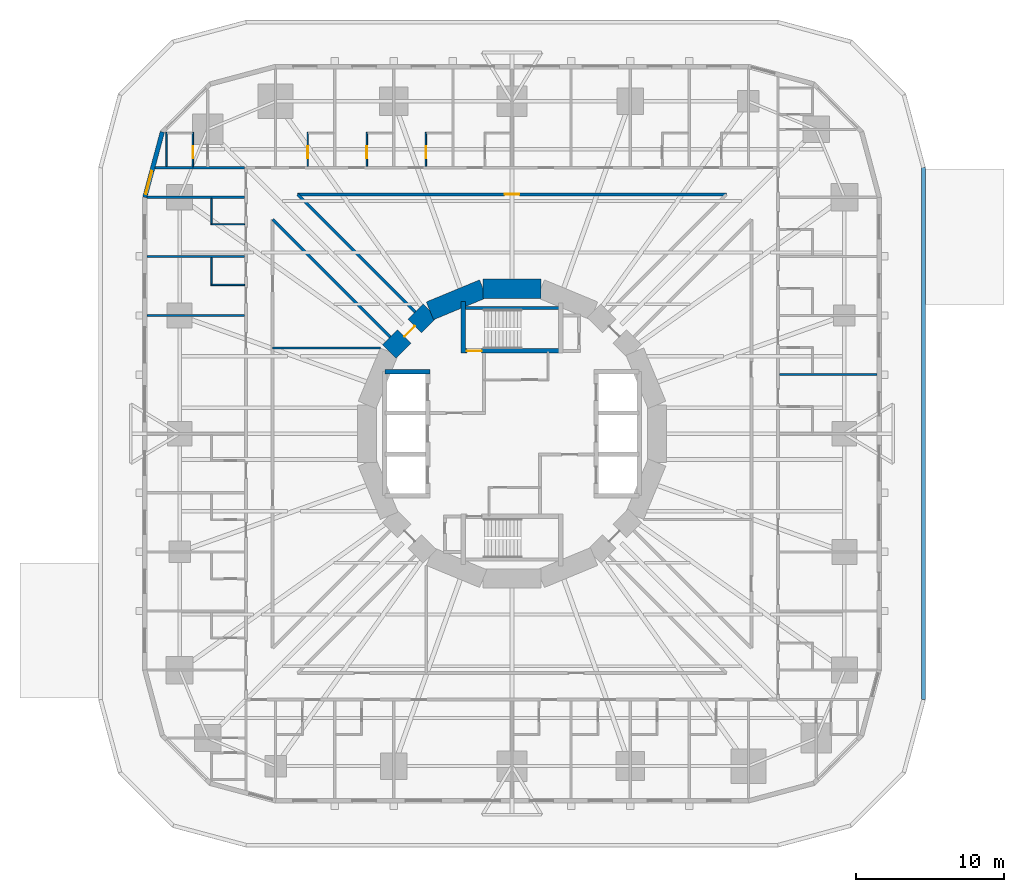
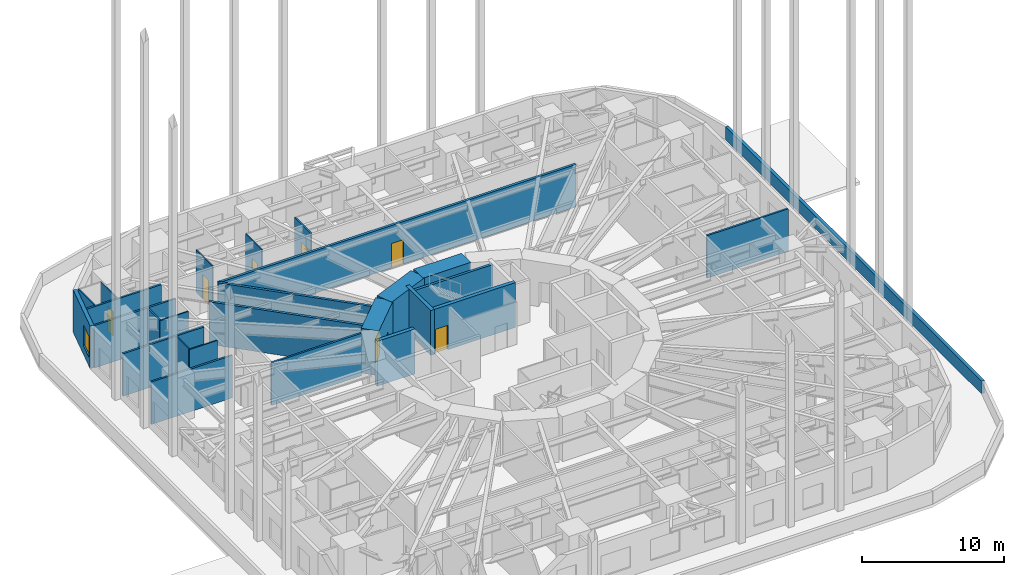
# One storey, part 9 of 13: 27 walls, 7 doors, 1 window, 8 openings.
"""IFC4 building model written with IfcOpenShell, lengths in metres."""

from ifc_helpers import new_model, si_unit, direction, frame, frame_2d, origin, place, context, subcontext, project, spatial, rectangle, extrude, material, layer, layer_set, type_object, element, fill, save


model = new_model("IFC4")

# Units and contexts
model_context = context("Model", 3, precision=1e-05, world=origin(), true_north=direction((0.0, 1.0)))
body_context = subcontext(model_context, "Body", "Model", "MODEL_VIEW")
ifc_project = project(units=[si_unit("LENGTHUNIT", "METRE"), si_unit("AREAUNIT", "SQUARE_METRE"), si_unit("VOLUMEUNIT", "CUBIC_METRE"), si_unit("PLANEANGLEUNIT", "RADIAN"), si_unit("MASSUNIT", "GRAM", prefix="KILO")], contexts=[model_context])

# Site, building, storey
site_placement = place(None, origin())
site = spatial("IfcSite", under=ifc_project, at=site_placement, CompositionType="ELEMENT")
building_placement = place(site_placement, origin())
building = spatial("IfcBuilding", under=site, at=building_placement, Name="Nakasero Lantern House", CompositionType="ELEMENT")
storey_placement = place(building_placement, frame((0.0, 0.0, 16.0)))
storey = spatial("IfcBuildingStorey", under=building, at=storey_placement, Name="L03", CompositionType="ELEMENT", Elevation=16.0)

# Wall
ifc_material_1 = material(Name="Concrete C50/60", Category="concrete")
ifc_layer_1 = layer(ifc_material_1, 0.300048828125)
ifc_layer_set_1 = layer_set([ifc_layer_1], Name="Core inner wall 300")
wall_type_1 = type_object("IfcWallType", Name="Core inner wall 300", PredefinedType="SHEAR", material=ifc_layer_set_1)
wall_1_placement = place(storey_placement, frame((-8.60009765625, 4.199951171875, 0.0), z_axis=(0.0, 0.0, 1.0), x_axis=(1.0, 0.0, 0.0)))
element("IfcWall", 1, at=wall_1_placement, inside=storey, type_object=wall_type_1, Name="Core inner wall L03 LWN", PredefinedType="SHEAR", context=body_context, shape_type="SweptSolid", body=[
    extrude(rectangle(XDim=3.050048828125, YDim=0.300048828125, at=frame_2d((1.52490234375, 0.0))), origin(), (0.0, 0.0, 1.0), 3.85009765625),
])

# Wall, opening, door
wall_2_placement = place(storey_placement, frame((-3.449951171875, 5.60009765625, 0.0), z_axis=(0.0, 0.0, 1.0), x_axis=(1.0, 0.0, 0.0)))
wall_2 = element("IfcWall", 2, at=wall_2_placement, inside=storey, type_object=wall_type_1, Name="Core inner wall L03 SN", PredefinedType="SHEAR", context=body_context, shape_type="SweptSolid", body=[
    extrude(rectangle(XDim=6.89990234375, YDim=0.300048828125, at=frame_2d((3.449951171875, 0.0))), origin(), (0.0, 0.0, 1.0), 3.85009765625),
])
opening_1_placement = place(wall_2_placement, frame((0.39990234375, 0.0, 0.0)))
opening_1 = element("IfcOpeningElement", 3, at=opening_1_placement, cuts=wall_2, Name="Opening D05", PredefinedType="OPENING", context=body_context, shape_type="SweptSolid", body=[
    extrude(rectangle(XDim=1.0, YDim=2.10009765625, at=frame_2d((0.5, 1.050048828125))), frame((0.0, 0.169921875, 0.0), z_axis=(0.0, -1.0, 0.0), x_axis=(1.0, 0.0, 0.0)), (0.0, 0.0, 1.0), 0.340087890625),
])
ifc_material_2 = material(Name="Timber C24", Category="wood")
door_type_1 = type_object("IfcDoorType", Name="Core door FD60S 1000", OperationType="SINGLE_SWING_LEFT", PredefinedType="DOOR", material=ifc_material_2)
door_1_placement = place(opening_1_placement, origin())
door_1 = element("IfcDoor", 4, at=door_1_placement, inside=storey, type_object=door_type_1, Name="Door L03 D-ST1", OperationType="SINGLE_SWING_LEFT", OverallHeight=2.10009765625, OverallWidth=1.0, PredefinedType="DOOR", context=body_context, shape_type="SweptSolid", body=[
    extrude(rectangle(XDim=1.0, YDim=2.10009765625, at=frame_2d((0.5, 1.050048828125))), frame((0.0, 0.02490234375, 0.0), z_axis=(0.0, -1.0, 0.0), x_axis=(1.0, 0.0, 0.0)), (0.0, 0.0, 1.0), 0.050048828125),
])
fill(opening_1, door_1)

# Walls
wall_3_placement = place(storey_placement, frame((-3.300048828125, 5.449951171875, 0.0), z_axis=(0.0, 0.0, 1.0), x_axis=(0.0, 1.0, 0.0)))
element("IfcWall", 5, at=wall_3_placement, inside=storey, type_object=wall_type_1, Name="Core inner wall L03 SNW", PredefinedType="SHEAR", context=body_context, shape_type="SweptSolid", body=[
    extrude(rectangle(XDim=3.5, YDim=0.300048828125, at=frame_2d((1.75, 0.0))), origin(), (0.0, 0.0, 1.0), 3.85009765625),
])
ifc_material_3 = material(Name="Concrete C50/60", Category="concrete")
ifc_layer_2 = layer(ifc_material_3, 1.300048828125)
ifc_layer_set_2 = layer_set([ifc_layer_2], Name="Core wall 1300")
wall_type_2 = type_object("IfcWallType", Name="Core wall 1300", PredefinedType="SHEAR", material=ifc_layer_set_2)
for number, where, z_axis, x_axis, name in (
    (6, (1.950927734375, 9.807861328125, 0.0), (0.0, 0.0, 1.0), (-1.0, 0.0, 0.0), "Core wall L03 facet 4"),
    (7, (-1.950927734375, 9.807861328125, 0.0), (0.0, 0.0, 1.0), (-0.923876507187, -0.382690736062, 0.0), "Core wall L03 facet 5"),
):
    element("IfcWall", number, at=place(storey_placement, frame(where, z_axis=z_axis, x_axis=x_axis)), inside=storey, type_object=wall_type_2, Name=name, PredefinedType="SHEAR", context=body_context, shape_type="SweptSolid", body=[
        extrude(rectangle(XDim=3.90185546875, YDim=1.300048828125, at=frame_2d((1.950927734375, 0.0))), origin(), (0.0, 0.0, 1.0), 3.85009765625),
    ])

# Wall, opening, door
wall_4_placement = place(storey_placement, frame((-5.5556640625, 8.314697265625, 0.0), z_axis=(0.0, 0.0, 1.0), x_axis=(-0.707106781187, -0.707106781187, 0.0)))
wall_4 = element("IfcWall", 8, at=wall_4_placement, inside=storey, type_object=wall_type_2, Name="Core wall L03 facet 6", PredefinedType="SHEAR", context=body_context, shape_type="SweptSolid", body=[
    extrude(rectangle(XDim=3.90185546875, YDim=1.300048828125, at=frame_2d((1.950927734375, 0.0))), origin(), (0.0, 0.0, 1.0), 3.85009765625),
])
opening_2_placement = place(wall_4_placement, frame((1.450927734375, 0.0, 0.0)))
opening_2 = element("IfcOpeningElement", 9, at=opening_2_placement, cuts=wall_4, Name="Opening D05", PredefinedType="OPENING", context=body_context, shape_type="SweptSolid", body=[
    extrude(rectangle(XDim=1.0, YDim=2.10009765625, at=frame_2d((0.5, 1.050048828125))), frame((0.0, 0.669921875, 0.0), z_axis=(0.0, -1.0, 0.0), x_axis=(1.0, 0.0, 0.0)), (0.0, 0.0, 1.0), 1.340087890625),
])
door_2_placement = place(opening_2_placement, origin())
door_2 = element("IfcDoor", 10, at=door_2_placement, inside=storey, type_object=door_type_1, Name="Door L03 D-CORE06", OperationType="SINGLE_SWING_LEFT", OverallHeight=2.10009765625, OverallWidth=1.0, PredefinedType="DOOR", context=body_context, shape_type="SweptSolid", body=[
    extrude(rectangle(XDim=1.0, YDim=2.10009765625, at=frame_2d((0.5, 1.050048828125))), frame((0.0, 0.02490234375, 0.0), z_axis=(0.0, -1.0, 0.0), x_axis=(1.0, 0.0, 0.0)), (0.0, 0.0, 1.0), 0.050048828125),
])
fill(opening_2, door_2)

ifc_material_4 = material(Name="Blockwork", Category="masonry")
ifc_layer_3 = layer(ifc_material_4, 0.199951171875)
ifc_layer_set_3 = layer_set([ifc_layer_3], Name="Corridor wall 200")
wall_type_3 = type_object("IfcWallType", Name="Corridor wall 200", PredefinedType="PARTITIONING", material=ifc_layer_set_3)
wall_5_placement = place(storey_placement, frame((14.5029296875, 16.199951171875, 0.0), z_axis=(0.0, 0.0, 1.0), x_axis=(-1.0, 0.0, 0.0)))
wall_5 = element("IfcWall", 11, at=wall_5_placement, inside=storey, type_object=wall_type_3, Name="Corridor wall L03 IW1-0", PredefinedType="PARTITIONING", context=body_context, shape_type="SweptSolid", body=[
    extrude(rectangle(XDim=29.005859375, YDim=0.199951171875, at=frame_2d((14.5029296875, 0.0))), origin(), (0.0, 0.0, 1.0), 3.64990234375),
])
opening_3_placement = place(wall_5_placement, frame((14.0029296875, 0.0, 0.0)))
opening_3 = element("IfcOpeningElement", 12, at=opening_3_placement, cuts=wall_5, Name="Opening D07", PredefinedType="OPENING", context=body_context, shape_type="SweptSolid", body=[
    extrude(rectangle(XDim=1.0, YDim=2.10009765625, at=frame_2d((0.5, 1.050048828125))), frame((0.0, 0.119873046875, 0.0), z_axis=(0.0, -1.0, 0.0), x_axis=(1.0, 0.0, 0.0)), (0.0, 0.0, 1.0), 0.239990234375),
])
ifc_material_5 = material(Name="Timber C24", Category="wood")
door_type_2 = type_object("IfcDoorType", Name="Room door FD30S 1000", OperationType="SINGLE_SWING_LEFT", PredefinedType="DOOR", material=ifc_material_5)
door_3_placement = place(opening_3_placement, origin())
door_3 = element("IfcDoor", 13, at=door_3_placement, inside=storey, type_object=door_type_2, Name="Door L03 DI2", OperationType="SINGLE_SWING_LEFT", OverallHeight=2.10009765625, OverallWidth=1.0, PredefinedType="DOOR", context=body_context, shape_type="SweptSolid", body=[
    extrude(rectangle(XDim=1.0, YDim=2.10009765625, at=frame_2d((0.5, 1.050048828125))), frame((0.0, 0.02490234375, 0.0), z_axis=(0.0, -1.0, 0.0), x_axis=(1.0, 0.0, 0.0)), (0.0, 0.0, 1.0), 0.050048828125),
])
fill(opening_3, door_3)

# Walls
for number, where, z_axis, x_axis, name in (
    (14, (-8.243408203125, 6.54638671875, 0.0), (0.0, 0.0, 1.0), (-0.707106781187, 0.707106781187, 0.0), "Corridor wall L03 PS06a"),
    (15, (-6.54638671875, 8.243408203125, 0.0), (0.0, 0.0, 1.0), (-0.707106781187, 0.707106781187, 0.0), "Corridor wall L03 PS06b"),
):
    element("IfcWall", number, at=place(storey_placement, frame(where, z_axis=z_axis, x_axis=x_axis)), inside=storey, type_object=wall_type_3, Name=name, PredefinedType="PARTITIONING", context=body_context, shape_type="SweptSolid", body=[
        extrude(rectangle(XDim=11.252197265625, YDim=0.199951171875, at=frame_2d((5.6259765625, 0.0))), origin(), (0.0, 0.0, 1.0), 3.64990234375),
    ])

# Wall, opening, door
ifc_material_6 = material(Name="Blockwork", Category="masonry")
ifc_layer_4 = layer(ifc_material_6, 0.10009765625)
ifc_layer_set_4 = layer_set([ifc_layer_4], Name="En-suite wall 100")
wall_type_4 = type_object("IfcWallType", Name="En-suite wall 100", PredefinedType="PARTITIONING", material=ifc_layer_set_4)
wall_6_placement = place(storey_placement, frame((-5.824951171875, 18.10009765625, 0.0), z_axis=(0.0, 0.0, 1.0), x_axis=(0.0, 1.0, 0.0)))
wall_6 = element("IfcWall", 16, at=wall_6_placement, inside=storey, type_object=wall_type_4, Name="En-suite wall L03 ES1-06", PredefinedType="PARTITIONING", context=body_context, shape_type="SweptSolid", body=[
    extrude(rectangle(XDim=2.2998046875, YDim=0.10009765625, at=frame_2d((1.14990234375, 0.0))), origin(), (0.0, 0.0, 1.0), 3.64990234375),
])
opening_4_placement = place(wall_6_placement, frame((0.550048828125, 0.0, 0.0)))
opening_4 = element("IfcOpeningElement", 17, at=opening_4_placement, cuts=wall_6, Name="Opening D02", PredefinedType="OPENING", context=body_context, shape_type="SweptSolid", body=[
    extrude(rectangle(XDim=0.800048828125, YDim=2.10009765625, at=frame_2d((0.39990234375, 1.050048828125))), frame((0.0, 0.070068359375, 0.0), z_axis=(0.0, -1.0, 0.0), x_axis=(1.0, 0.0, 0.0)), (0.0, 0.0, 1.0), 0.14013671875),
])
ifc_material_7 = material(Name="Timber C24", Category="wood")
door_type_3 = type_object("IfcDoorType", Name="En-suite door 800", OperationType="SINGLE_SWING_RIGHT", PredefinedType="DOOR", material=ifc_material_7)
door_4_placement = place(opening_4_placement, origin())
door_4 = element("IfcDoor", 18, at=door_4_placement, inside=storey, type_object=door_type_3, Name="Door L03 DE1-06", OperationType="SINGLE_SWING_LEFT", OverallHeight=2.10009765625, OverallWidth=0.800048828125, PredefinedType="DOOR", context=body_context, shape_type="SweptSolid", body=[
    extrude(rectangle(XDim=0.800048828125, YDim=2.10009765625, at=frame_2d((0.39990234375, 1.050048828125))), frame((0.0, 0.02490234375, 0.0), z_axis=(0.0, -1.0, 0.0), x_axis=(1.0, 0.0, 0.0)), (0.0, 0.0, 1.0), 0.050048828125),
])
fill(opening_4, door_4)

wall_7_placement = place(storey_placement, frame((-9.824951171875, 18.10009765625, 0.0), z_axis=(0.0, 0.0, 1.0), x_axis=(0.0, 1.0, 0.0)))
wall_7 = element("IfcWall", 19, at=wall_7_placement, inside=storey, type_object=wall_type_4, Name="En-suite wall L03 ES1-07", PredefinedType="PARTITIONING", context=body_context, shape_type="SweptSolid", body=[
    extrude(rectangle(XDim=2.2998046875, YDim=0.10009765625, at=frame_2d((1.14990234375, 0.0))), origin(), (0.0, 0.0, 1.0), 3.64990234375),
])
opening_5_placement = place(wall_7_placement, frame((0.550048828125, 0.0, 0.0)))
opening_5 = element("IfcOpeningElement", 20, at=opening_5_placement, cuts=wall_7, Name="Opening D02", PredefinedType="OPENING", context=body_context, shape_type="SweptSolid", body=[
    extrude(rectangle(XDim=0.800048828125, YDim=2.10009765625, at=frame_2d((0.39990234375, 1.050048828125))), frame((0.0, 0.070068359375, 0.0), z_axis=(0.0, -1.0, 0.0), x_axis=(1.0, 0.0, 0.0)), (0.0, 0.0, 1.0), 0.14013671875),
])
door_5_placement = place(opening_5_placement, origin())
door_5 = element("IfcDoor", 21, at=door_5_placement, inside=storey, type_object=door_type_3, Name="Door L03 DE1-07", OperationType="SINGLE_SWING_LEFT", OverallHeight=2.10009765625, OverallWidth=0.800048828125, PredefinedType="DOOR", context=body_context, shape_type="SweptSolid", body=[
    extrude(rectangle(XDim=0.800048828125, YDim=2.10009765625, at=frame_2d((0.39990234375, 1.050048828125))), frame((0.0, 0.02490234375, 0.0), z_axis=(0.0, -1.0, 0.0), x_axis=(1.0, 0.0, 0.0)), (0.0, 0.0, 1.0), 0.050048828125),
])
fill(opening_5, door_5)

wall_8_placement = place(storey_placement, frame((-13.824951171875, 18.10009765625, 0.0), z_axis=(0.0, 0.0, 1.0), x_axis=(0.0, 1.0, 0.0)))
wall_8 = element("IfcWall", 22, at=wall_8_placement, inside=storey, type_object=wall_type_4, Name="En-suite wall L03 ES1-08", PredefinedType="PARTITIONING", context=body_context, shape_type="SweptSolid", body=[
    extrude(rectangle(XDim=2.2998046875, YDim=0.10009765625, at=frame_2d((1.14990234375, 0.0))), origin(), (0.0, 0.0, 1.0), 3.64990234375),
])
opening_6_placement = place(wall_8_placement, frame((0.550048828125, 0.0, 0.0)))
opening_6 = element("IfcOpeningElement", 23, at=opening_6_placement, cuts=wall_8, Name="Opening D02", PredefinedType="OPENING", context=body_context, shape_type="SweptSolid", body=[
    extrude(rectangle(XDim=0.800048828125, YDim=2.10009765625, at=frame_2d((0.39990234375, 1.050048828125))), frame((0.0, 0.070068359375, 0.0), z_axis=(0.0, -1.0, 0.0), x_axis=(1.0, 0.0, 0.0)), (0.0, 0.0, 1.0), 0.14013671875),
])
door_6_placement = place(opening_6_placement, origin())
door_6 = element("IfcDoor", 24, at=door_6_placement, inside=storey, type_object=door_type_3, Name="Door L03 DE1-08", OperationType="SINGLE_SWING_LEFT", OverallHeight=2.10009765625, OverallWidth=0.800048828125, PredefinedType="DOOR", context=body_context, shape_type="SweptSolid", body=[
    extrude(rectangle(XDim=0.800048828125, YDim=2.10009765625, at=frame_2d((0.39990234375, 1.050048828125))), frame((0.0, 0.02490234375, 0.0), z_axis=(0.0, -1.0, 0.0), x_axis=(1.0, 0.0, 0.0)), (0.0, 0.0, 1.0), 0.050048828125),
])
fill(opening_6, door_6)

wall_9_placement = place(storey_placement, frame((-21.59619140625, 18.06494140625, 0.0), z_axis=(0.0, 0.0, 1.0), x_axis=(0.0, 1.0, 0.0)))
wall_9 = element("IfcWall", 25, at=wall_9_placement, inside=storey, type_object=wall_type_4, Name="En-suite wall L03 ES1-09", PredefinedType="PARTITIONING", context=body_context, shape_type="SweptSolid", body=[
    extrude(rectangle(XDim=2.3349609375, YDim=0.10009765625, at=frame_2d((1.16748046875, 0.0))), origin(), (0.0, 0.0, 1.0), 3.64990234375),
])
opening_7_placement = place(wall_9_placement, frame((0.5849609375, 0.0, 0.0)))
opening_7 = element("IfcOpeningElement", 26, at=opening_7_placement, cuts=wall_9, Name="Opening D02", PredefinedType="OPENING", context=body_context, shape_type="SweptSolid", body=[
    extrude(rectangle(XDim=0.800048828125, YDim=2.10009765625, at=frame_2d((0.39990234375, 1.050048828125))), frame((0.0, 0.070068359375, 0.0), z_axis=(0.0, -1.0, 0.0), x_axis=(1.0, 0.0, 0.0)), (0.0, 0.0, 1.0), 0.14013671875),
])
door_7_placement = place(opening_7_placement, origin())
door_7 = element("IfcDoor", 27, at=door_7_placement, inside=storey, type_object=door_type_3, Name="Door L03 DE1-09", OperationType="SINGLE_SWING_LEFT", OverallHeight=2.10009765625, OverallWidth=0.800048828125, PredefinedType="DOOR", context=body_context, shape_type="SweptSolid", body=[
    extrude(rectangle(XDim=0.800048828125, YDim=2.10009765625, at=frame_2d((0.39990234375, 1.050048828125))), frame((0.0, 0.02490234375, 0.0), z_axis=(0.0, -1.0, 0.0), x_axis=(1.0, 0.0, 0.0)), (0.0, 0.0, 1.0), 0.050048828125),
])
fill(opening_7, door_7)

# Walls
for number, where, z_axis, x_axis, name in (
    (28, (-23.396240234375, 18.10009765625, 0.0), (0.0, 0.0, 1.0), (0.0, 1.0, 0.0), "En-suite wall L03 EV1-09"),
    (29, (-18.10009765625, 14.175048828125, 0.0), (0.0, 0.0, 1.0), (-1.0, 0.0, 0.0), "En-suite wall L03 ES2-01"),
):
    element("IfcWall", number, at=place(storey_placement, frame(where, z_axis=z_axis, x_axis=x_axis)), inside=storey, type_object=wall_type_4, Name=name, PredefinedType="PARTITIONING", context=body_context, shape_type="SweptSolid", body=[
        extrude(rectangle(XDim=2.2998046875, YDim=0.10009765625, at=frame_2d((1.14990234375, 0.0))), origin(), (0.0, 0.0, 1.0), 3.64990234375),
    ])
wall_10_placement = place(storey_placement, frame((-20.35009765625, 15.925048828125, 0.0), z_axis=(0.0, 0.0, 1.0), x_axis=(0.0, -1.0, 0.0)))
element("IfcWall", 30, at=wall_10_placement, inside=storey, type_object=wall_type_4, Name="En-suite wall L03 EE2-01", PredefinedType="PARTITIONING", context=body_context, shape_type="SweptSolid", body=[
    extrude(rectangle(XDim=1.699951171875, YDim=0.10009765625, at=frame_2d((0.85009765625, 0.0))), origin(), (0.0, 0.0, 1.0), 3.64990234375),
])
wall_11_placement = place(storey_placement, frame((-18.10009765625, 10.074951171875, 0.0), z_axis=(0.0, 0.0, 1.0), x_axis=(-1.0, 0.0, 0.0)))
element("IfcWall", 31, at=wall_11_placement, inside=storey, type_object=wall_type_4, Name="En-suite wall L03 ES2-02", PredefinedType="PARTITIONING", context=body_context, shape_type="SweptSolid", body=[
    extrude(rectangle(XDim=2.2998046875, YDim=0.10009765625, at=frame_2d((1.14990234375, 0.0))), origin(), (0.0, 0.0, 1.0), 3.64990234375),
])
wall_12_placement = place(storey_placement, frame((-20.35009765625, 11.925048828125, 0.0), z_axis=(0.0, 0.0, 1.0), x_axis=(0.0, -1.0, 0.0)))
element("IfcWall", 32, at=wall_12_placement, inside=storey, type_object=wall_type_4, Name="En-suite wall L03 EE2-02", PredefinedType="PARTITIONING", context=body_context, shape_type="SweptSolid", body=[
    extrude(rectangle(XDim=1.800048828125, YDim=0.10009765625, at=frame_2d((0.89990234375, 0.0))), origin(), (0.0, 0.0, 1.0), 3.64990234375),
])

# Wall, opening, window
ifc_material_8 = material(Name="Aluminium rainscreen on blockwork", Category="masonry")
ifc_layer_5 = layer(ifc_material_8, 0.300048828125)
ifc_layer_set_5 = layer_set([ifc_layer_5], Name="Facade wall 300")
wall_type_5 = type_object("IfcWallType", Name="Facade wall 300", PredefinedType="SOLIDWALL", material=ifc_layer_set_5)
wall_13_placement = place(storey_placement, frame((-23.664306640625, 20.425048828125, 0.0), z_axis=(0.0, 0.0, 1.0), x_axis=(-0.258839972501, -0.965920218567, 0.0)))
wall_13 = element("IfcWall", 33, at=wall_13_placement, inside=storey, type_object=wall_type_5, Name="Facade wall L03 FW1C3", PredefinedType="SOLIDWALL", context=body_context, shape_type="SweptSolid", body=[
    extrude(rectangle(XDim=4.5810546875, YDim=0.300048828125, at=frame_2d((2.29052734375, 0.0))), origin(), (0.0, 0.0, 1.0), 3.64990234375),
])
opening_8_placement = place(wall_13_placement, frame((2.74609375, 0.0, 0.75)))
opening_8 = element("IfcOpeningElement", 34, at=opening_8_placement, cuts=wall_13, Name="Opening W01", PredefinedType="OPENING", context=body_context, shape_type="SweptSolid", body=[
    extrude(rectangle(XDim=1.60009765625, YDim=1.800048828125, at=frame_2d((0.800048828125, 0.89990234375))), frame((0.0, 0.169921875, 0.0), z_axis=(0.0, -1.0, 0.0), x_axis=(1.0, 0.0, 0.0)), (0.0, 0.0, 1.0), 0.340087890625),
])
ifc_material_9 = material(Name="Aluminium 6063-T6 and glass", Category="aluminium")
window_type = type_object("IfcWindowType", Name="Bedroom window 1600x1800", PartitioningType="SINGLE_PANEL", PredefinedType="WINDOW", material=ifc_material_9)
window_placement = place(opening_8_placement, origin())
window = element("IfcWindow", 35, at=window_placement, inside=storey, type_object=window_type, Name="Window L03 WN2-00", OverallHeight=1.800048828125, OverallWidth=1.60009765625, PartitioningType="SINGLE_PANEL", PredefinedType="WINDOW", context=body_context, shape_type="SweptSolid", body=[
    extrude(rectangle(XDim=1.60009765625, YDim=1.800048828125, at=frame_2d((0.800048828125, 0.89990234375))), frame((0.0, 0.030029296875, 0.0), z_axis=(0.0, -1.0, 0.0), x_axis=(1.0, 0.0, 0.0)), (0.0, 0.0, 1.0), 0.06005859375),
])
fill(opening_8, window)

# Walls
ifc_material_10 = material(Name="Blockwork", Category="masonry")
ifc_layer_6 = layer(ifc_material_10, 0.199951171875)
ifc_layer_set_6 = layer_set([ifc_layer_6], Name="Fire lobby wall 200")
wall_type_6 = type_object("IfcWallType", Name="Fire lobby wall 200", PredefinedType="PARTITIONING", material=ifc_layer_set_6)
wall_14_placement = place(storey_placement, frame((-3.300048828125, 8.5, 0.0), z_axis=(0.0, 0.0, 1.0), x_axis=(1.0, 0.0, 0.0)))
element("IfcWall", 36, at=wall_14_placement, inside=storey, type_object=wall_type_6, Name="Fire lobby wall L03 W-STN", PredefinedType="PARTITIONING", context=body_context, shape_type="SweptSolid", body=[
    extrude(rectangle(XDim=6.60009765625, YDim=0.199951171875, at=frame_2d((3.300048828125, 0.0))), origin(), (0.0, 0.0, 1.0), 3.64990234375),
])
ifc_material_11 = material(Name="Concrete C35/45", Category="concrete")
ifc_layer_7 = layer(ifc_material_11, 0.25)
ifc_layer_set_7 = layer_set([ifc_layer_7], Name="Parapet 250")
wall_type_7 = type_object("IfcWallType", Name="Parapet 250", PredefinedType="SOLIDWALL", material=ifc_layer_set_7)
wall_15_placement = place(storey_placement, frame((27.85009765625, -18.0, 0.0), z_axis=(0.0, 0.0, 1.0), x_axis=(0.0, 1.0, 0.0)))
element("IfcWall", 37, at=wall_15_placement, inside=storey, type_object=wall_type_7, Name="Parapet L03 PP0S", PredefinedType="SOLIDWALL", context=body_context, shape_type="SweptSolid", body=[
    extrude(rectangle(XDim=36.0, YDim=0.25, at=frame_2d((18.0, 0.0))), origin(), (0.0, 0.0, 1.0), 1.10009765625),
])
ifc_material_12 = material(Name="Blockwork", Category="masonry")
ifc_layer_8 = layer(ifc_material_12, 0.14990234375)
ifc_layer_set_8 = layer_set([ifc_layer_8], Name="Party wall 150")
wall_type_8 = type_object("IfcWallType", Name="Party wall 150", PredefinedType="PARTITIONING", material=ifc_layer_set_8)
wall_16_placement = place(storey_placement, frame((18.10009765625, 4.0, 0.0), z_axis=(0.0, 0.0, 1.0), x_axis=(1.0, 0.0, 0.0)))
element("IfcWall", 38, at=wall_16_placement, inside=storey, type_object=wall_type_8, Name="Party wall L03 PW0-06", PredefinedType="PARTITIONING", context=body_context, shape_type="SweptSolid", body=[
    extrude(rectangle(XDim=6.599853515625, YDim=0.14990234375, at=frame_2d((3.2998046875, 0.0))), origin(), (0.0, 0.0, 1.0), 3.64990234375),
])
wall_17_placement = place(storey_placement, frame((-18.10009765625, 18.0, 0.0), z_axis=(0.0, 0.0, 1.0), x_axis=(-1.0, 0.0, 0.0)))
element("IfcWall", 39, at=wall_17_placement, inside=storey, type_object=wall_type_8, Name="Party wall L03 PW2-00", PredefinedType="PARTITIONING", context=body_context, shape_type="SweptSolid", body=[
    extrude(rectangle(XDim=6.053466796875, YDim=0.14990234375, at=frame_2d((3.02685546875, 0.0))), origin(), (0.0, 0.0, 1.0), 3.64990234375),
])
wall_18_placement = place(storey_placement, frame((-18.10009765625, 16.0, 0.0), z_axis=(0.0, 0.0, 1.0), x_axis=(-1.0, 0.0, 0.0)))
element("IfcWall", 40, at=wall_18_placement, inside=storey, type_object=wall_type_8, Name="Party wall L03 PW2-01", PredefinedType="PARTITIONING", context=body_context, shape_type="SweptSolid", body=[
    extrude(rectangle(XDim=6.58935546875, YDim=0.14990234375, at=frame_2d((3.294677734375, 0.0))), origin(), (0.0, 0.0, 1.0), 3.64990234375),
])
for number, where, z_axis, x_axis, name in (
    (41, (-18.10009765625, 12.0, 0.0), (0.0, 0.0, 1.0), (-1.0, 0.0, 0.0), "Party wall L03 PW2-02"),
    (42, (-18.10009765625, 8.0, 0.0), (0.0, 0.0, 1.0), (-1.0, 0.0, 0.0), "Party wall L03 PW2-03"),
):
    element("IfcWall", number, at=place(storey_placement, frame(where, z_axis=z_axis, x_axis=x_axis)), inside=storey, type_object=wall_type_8, Name=name, PredefinedType="PARTITIONING", context=body_context, shape_type="SweptSolid", body=[
        extrude(rectangle(XDim=6.599853515625, YDim=0.14990234375, at=frame_2d((3.2998046875, 0.0))), origin(), (0.0, 0.0, 1.0), 3.64990234375),
    ])
wall_19_placement = place(storey_placement, frame((-8.91650390625, 5.80126953125, 0.0), z_axis=(0.0, 0.0, 1.0), x_axis=(-1.0, 0.0, 0.0)))
element("IfcWall", 43, at=wall_19_placement, inside=storey, type_object=wall_type_8, Name="Party wall L03 IS3", PredefinedType="PARTITIONING", context=body_context, shape_type="SweptSolid", body=[
    extrude(rectangle(XDim=7.283447265625, YDim=0.14990234375, at=frame_2d((3.6416015625, 0.0))), origin(), (0.0, 0.0, 1.0), 3.64990234375),
])

save(model, "model.ifc")
